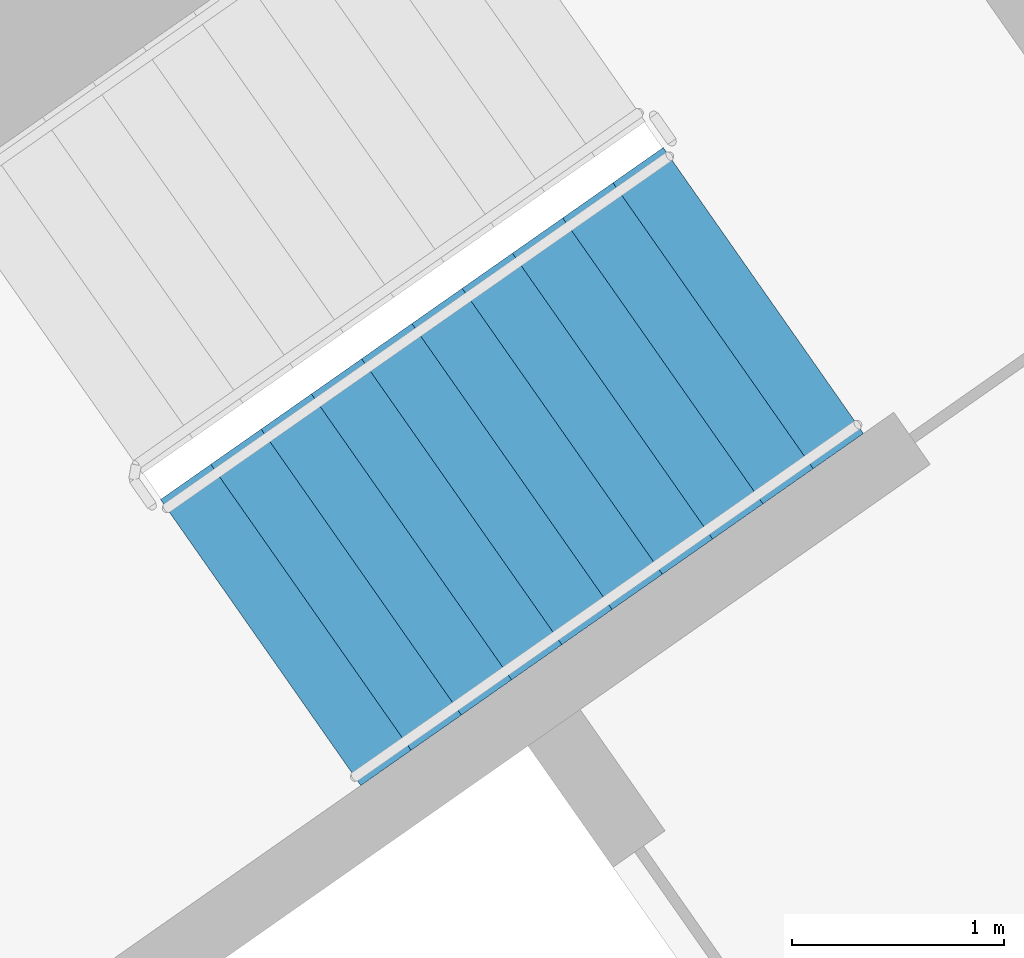
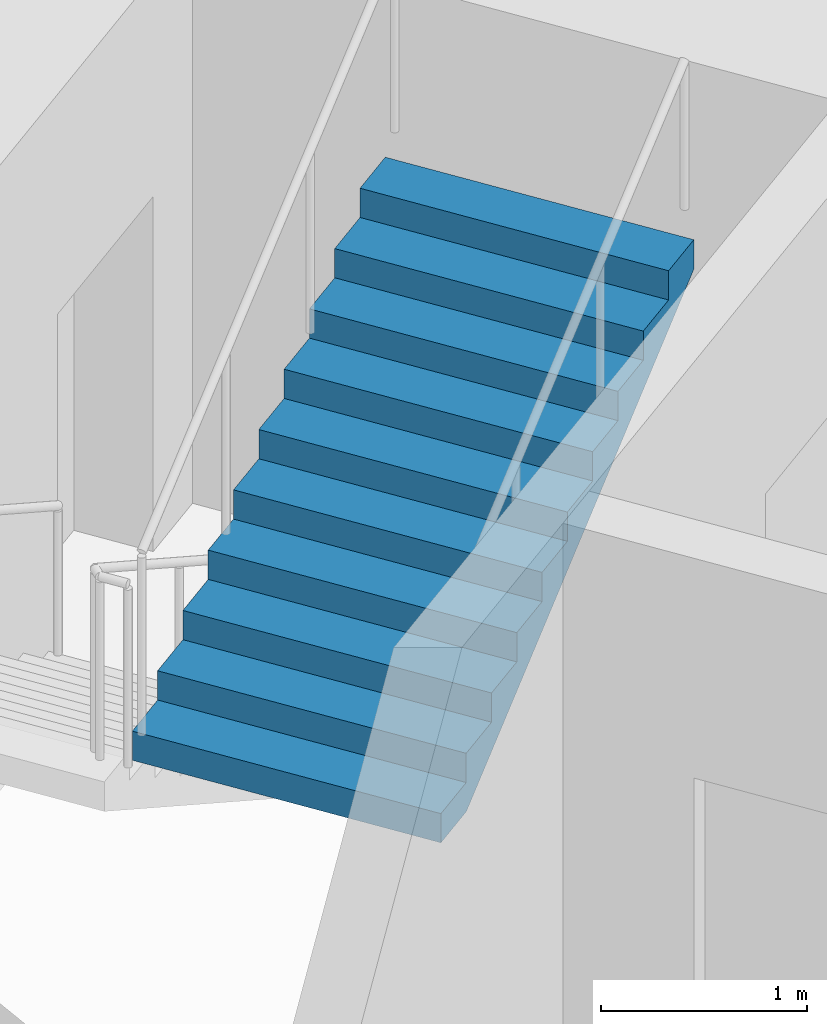
# One storey, part 15 of 31: 1 stair flight, 1 element without a shape of its own.
"""IFC4 building model written with IfcOpenShell, lengths in metres."""

from ifc_helpers import new_model, si_unit, direction, frame, origin, place, context, subcontext, project, spatial, faceted_brep, material, type_object, element, aggregate, save


model = new_model("IFC4")

# Units and contexts
model_context = context("Model", 3, precision=1e-05, world=origin(), true_north=direction((0.0, 1.0)))
body_context = subcontext(model_context, "Body", "Model", "MODEL_VIEW")
ifc_project = project(units=[si_unit("LENGTHUNIT", "METRE"), si_unit("AREAUNIT", "SQUARE_METRE"), si_unit("VOLUMEUNIT", "CUBIC_METRE"), si_unit("PLANEANGLEUNIT", "RADIAN"), si_unit("MASSUNIT", "GRAM", prefix="KILO")], contexts=[model_context])

# Site, building, storey
site_placement = place(None, origin())
site = spatial("IfcSite", under=ifc_project, at=site_placement, CompositionType="ELEMENT")
building_placement = place(site_placement, origin())
building = spatial("IfcBuilding", under=site, at=building_placement, Name="Qamariyya Broadcast Tower", CompositionType="ELEMENT")
storey_placement = place(building_placement, frame((0.0, 0.0, 86.10009765625)))
storey = spatial("IfcBuildingStorey", under=building, at=storey_placement, Name="L18", CompositionType="ELEMENT", Elevation=86.10009765625)

# Stair, stair flight
ifc_material = material(Name="Concrete C50/60", Category="concrete")
stair_type = type_object("IfcStairType", Name="Exit stair 22 risers of 173 mm", PredefinedType="HALF_TURN_STAIR", material=ifc_material)
stair_placement = place(storey_placement, origin())
stair = element("IfcStair", 1, at=stair_placement, inside=storey, type_object=stair_type, Name="L18 Stair E2", PredefinedType="HALF_TURN_STAIR")
stair_flight_type = type_object("IfcStairFlightType", Name="Exit stair flight 11 risers of 173 mm", PredefinedType="STRAIGHT", material=ifc_material)
stair_flight_placement = place(storey_placement, frame((39.215576171875, -50.822998046875, 1.89990234375), z_axis=(0.0, 0.0, 1.0), x_axis=(0.819152044289, 0.573576436351, 0.0)))
stair_flight = element("IfcStairFlight", 2, at=stair_flight_placement, type_object=stair_flight_type, Name="ST-E2 flight 2", NumberOfRisers=11, NumberOfTreads=10, PredefinedType="STRAIGHT", RiserHeight=0.172727273, TreadLength=0.29, context=body_context, shape_type="Brep", body=[
    faceted_brep([(0.0, 0.824951171875, 0.0), (0.0, 0.824951171875, 0.172607421875), (0.2900390625, 0.824951171875, 0.172607421875), (0.2900390625, 0.824951171875, 0.345458984375), (0.580078125, 0.824951171875, 0.345458984375), (0.580078125, 0.824951171875, 0.51806640625), (0.8701171875, 0.824951171875, 0.51806640625), (0.8701171875, 0.824951171875, 0.69091796875), (1.159912109375, 0.824951171875, 0.69091796875), (1.159912109375, 0.824951171875, 0.863525390625), (1.449951171875, 0.824951171875, 0.863525390625), (1.449951171875, 0.824951171875, 1.036376953125), (1.739990234375, 0.824951171875, 1.036376953125), (1.739990234375, 0.824951171875, 1.208984375), (2.030029296875, 0.824951171875, 1.208984375), (2.030029296875, 0.824951171875, 1.3818359375), (2.320068359375, 0.824951171875, 1.3818359375), (2.320068359375, 0.824951171875, 1.554443359375), (2.610107421875, 0.824951171875, 1.554443359375), (2.610107421875, 0.824951171875, 1.727294921875), (2.89990234375, 0.824951171875, 1.727294921875), (2.89990234375, 0.824951171875, 1.552734375), (0.29296875, 0.824951171875, 0.0), (0.29296875, -0.824951171875, 0.0), (2.89990234375, -0.824951171875, 1.552734375), (2.89990234375, -0.824951171875, 1.727294921875), (2.610107421875, -0.824951171875, 1.727294921875), (2.610107421875, -0.824951171875, 1.554443359375), (2.320068359375, -0.824951171875, 1.554443359375), (2.320068359375, -0.824951171875, 1.3818359375), (2.030029296875, -0.824951171875, 1.3818359375), (2.030029296875, -0.824951171875, 1.208984375), (1.739990234375, -0.824951171875, 1.208984375), (1.739990234375, -0.824951171875, 1.036376953125), (1.449951171875, -0.824951171875, 1.036376953125), (1.449951171875, -0.824951171875, 0.863525390625), (1.159912109375, -0.824951171875, 0.863525390625), (1.159912109375, -0.824951171875, 0.69091796875), (0.8701171875, -0.824951171875, 0.69091796875), (0.8701171875, -0.824951171875, 0.51806640625), (0.580078125, -0.824951171875, 0.51806640625), (0.580078125, -0.824951171875, 0.345458984375), (0.2900390625, -0.824951171875, 0.345458984375), (0.2900390625, -0.824951171875, 0.172607421875), (0.0, -0.824951171875, 0.172607421875), (0.0, -0.824951171875, 0.0), (0.0, 0.10009765625, 0.0), (0.0, 0.086669921875, 0.0), (0.0, 0.0732421875, 0.0), (0.0, 0.06005859375, 0.0), (0.0, 0.046630859375, 0.0), (0.0, 0.033447265625, 0.0), (0.0, 0.02001953125, 0.0), (0.0, 0.006591796875, 0.0), (0.0, -0.006591796875, 0.0), (0.0, -0.02001953125, 0.0), (0.0, -0.033447265625, 0.0), (0.0, -0.046630859375, 0.0), (0.0, -0.06005859375, 0.0), (0.0, -0.0732421875, 0.0), (0.0, -0.086669921875, 0.0), (0.0, -0.10009765625, 0.0), (0.0, -0.10009765625, 0.172607421875), (0.0, -0.086669921875, 0.172607421875), (0.0, -0.0732421875, 0.172607421875), (0.0, -0.06005859375, 0.172607421875), (0.0, -0.046630859375, 0.172607421875), (0.0, -0.033447265625, 0.172607421875), (0.0, -0.02001953125, 0.172607421875), (0.0, -0.006591796875, 0.172607421875), (0.0, 0.006591796875, 0.172607421875), (0.0, 0.02001953125, 0.172607421875), (0.0, 0.033447265625, 0.172607421875), (0.0, 0.046630859375, 0.172607421875), (0.0, 0.06005859375, 0.172607421875), (0.0, 0.0732421875, 0.172607421875), (0.0, 0.086669921875, 0.172607421875), (0.0, 0.10009765625, 0.172607421875), (0.2900390625, -0.10009765625, 0.172607421875), (0.2900390625, -0.086669921875, 0.172607421875), (0.2900390625, -0.0732421875, 0.172607421875), (0.2900390625, -0.06005859375, 0.172607421875), (0.2900390625, -0.046630859375, 0.172607421875), (0.2900390625, -0.033447265625, 0.172607421875), (0.2900390625, -0.02001953125, 0.172607421875), (0.2900390625, -0.006591796875, 0.172607421875), (0.2900390625, 0.006591796875, 0.172607421875), (0.2900390625, 0.02001953125, 0.172607421875), (0.2900390625, 0.033447265625, 0.172607421875), (0.2900390625, 0.046630859375, 0.172607421875), (0.2900390625, 0.06005859375, 0.172607421875), (0.2900390625, 0.0732421875, 0.172607421875), (0.2900390625, 0.086669921875, 0.172607421875), (0.2900390625, 0.10009765625, 0.172607421875), (0.2900390625, -0.10009765625, 0.345458984375), (0.2900390625, -0.086669921875, 0.345458984375), (0.2900390625, -0.0732421875, 0.345458984375), (0.2900390625, -0.06005859375, 0.345458984375), (0.2900390625, -0.046630859375, 0.345458984375), (0.2900390625, -0.033447265625, 0.345458984375), (0.2900390625, -0.02001953125, 0.345458984375), (0.2900390625, -0.006591796875, 0.345458984375), (0.2900390625, 0.006591796875, 0.345458984375), (0.2900390625, 0.02001953125, 0.345458984375), (0.2900390625, 0.033447265625, 0.345458984375), (0.2900390625, 0.046630859375, 0.345458984375), (0.2900390625, 0.06005859375, 0.345458984375), (0.2900390625, 0.0732421875, 0.345458984375), (0.2900390625, 0.086669921875, 0.345458984375), (0.2900390625, 0.10009765625, 0.345458984375), (0.580078125, -0.10009765625, 0.345458984375), (0.580078125, -0.086669921875, 0.345458984375), (0.580078125, -0.0732421875, 0.345458984375), (0.580078125, -0.06005859375, 0.345458984375), (0.580078125, -0.046630859375, 0.345458984375), (0.580078125, -0.033447265625, 0.345458984375), (0.580078125, -0.02001953125, 0.345458984375), (0.580078125, -0.006591796875, 0.345458984375), (0.580078125, 0.006591796875, 0.345458984375), (0.580078125, 0.02001953125, 0.345458984375), (0.580078125, 0.033447265625, 0.345458984375), (0.580078125, 0.046630859375, 0.345458984375), (0.580078125, 0.06005859375, 0.345458984375), (0.580078125, 0.0732421875, 0.345458984375), (0.580078125, 0.086669921875, 0.345458984375), (0.580078125, 0.10009765625, 0.345458984375), (0.580078125, -0.10009765625, 0.51806640625), (0.580078125, -0.086669921875, 0.51806640625), (0.580078125, -0.0732421875, 0.51806640625), (0.580078125, -0.06005859375, 0.51806640625), (0.580078125, -0.046630859375, 0.51806640625), (0.580078125, -0.033447265625, 0.51806640625), (0.580078125, -0.02001953125, 0.51806640625), (0.580078125, -0.006591796875, 0.51806640625), (0.580078125, 0.006591796875, 0.51806640625), (0.580078125, 0.02001953125, 0.51806640625), (0.580078125, 0.033447265625, 0.51806640625), (0.580078125, 0.046630859375, 0.51806640625), (0.580078125, 0.06005859375, 0.51806640625), (0.580078125, 0.0732421875, 0.51806640625), (0.580078125, 0.086669921875, 0.51806640625), (0.580078125, 0.10009765625, 0.51806640625), (0.8701171875, -0.10009765625, 0.51806640625), (0.8701171875, -0.086669921875, 0.51806640625), (0.8701171875, -0.0732421875, 0.51806640625), (0.8701171875, -0.06005859375, 0.51806640625), (0.8701171875, -0.046630859375, 0.51806640625), (0.8701171875, -0.033447265625, 0.51806640625), (0.8701171875, -0.02001953125, 0.51806640625), (0.8701171875, -0.006591796875, 0.51806640625), (0.8701171875, 0.006591796875, 0.51806640625), (0.8701171875, 0.02001953125, 0.51806640625), (0.8701171875, 0.033447265625, 0.51806640625), (0.8701171875, 0.046630859375, 0.51806640625), (0.8701171875, 0.06005859375, 0.51806640625), (0.8701171875, 0.0732421875, 0.51806640625), (0.8701171875, 0.086669921875, 0.51806640625), (0.8701171875, 0.10009765625, 0.51806640625), (0.8701171875, -0.10009765625, 0.69091796875), (0.8701171875, -0.086669921875, 0.69091796875), (0.8701171875, -0.0732421875, 0.69091796875), (0.8701171875, -0.06005859375, 0.69091796875), (0.8701171875, -0.046630859375, 0.69091796875), (0.8701171875, -0.033447265625, 0.69091796875), (0.8701171875, -0.02001953125, 0.69091796875), (0.8701171875, -0.006591796875, 0.69091796875), (0.8701171875, 0.006591796875, 0.69091796875), (0.8701171875, 0.02001953125, 0.69091796875), (0.8701171875, 0.033447265625, 0.69091796875), (0.8701171875, 0.046630859375, 0.69091796875), (0.8701171875, 0.06005859375, 0.69091796875), (0.8701171875, 0.0732421875, 0.69091796875), (0.8701171875, 0.086669921875, 0.69091796875), (0.8701171875, 0.10009765625, 0.69091796875), (1.159912109375, -0.10009765625, 0.69091796875), (1.159912109375, -0.086669921875, 0.69091796875), (1.159912109375, -0.0732421875, 0.69091796875), (1.159912109375, -0.06005859375, 0.69091796875), (1.159912109375, -0.046630859375, 0.69091796875), (1.159912109375, -0.033447265625, 0.69091796875), (1.159912109375, -0.02001953125, 0.69091796875), (1.159912109375, -0.006591796875, 0.69091796875), (1.159912109375, 0.006591796875, 0.69091796875), (1.159912109375, 0.02001953125, 0.69091796875), (1.159912109375, 0.033447265625, 0.69091796875), (1.159912109375, 0.046630859375, 0.69091796875), (1.159912109375, 0.06005859375, 0.69091796875), (1.159912109375, 0.0732421875, 0.69091796875), (1.159912109375, 0.086669921875, 0.69091796875), (1.159912109375, 0.10009765625, 0.69091796875), (1.159912109375, -0.10009765625, 0.863525390625), (1.159912109375, -0.086669921875, 0.863525390625), (1.159912109375, -0.0732421875, 0.863525390625), (1.159912109375, -0.06005859375, 0.863525390625), (1.159912109375, -0.046630859375, 0.863525390625), (1.159912109375, -0.033447265625, 0.863525390625), (1.159912109375, -0.02001953125, 0.863525390625), (1.159912109375, -0.006591796875, 0.863525390625), (1.159912109375, 0.006591796875, 0.863525390625), (1.159912109375, 0.02001953125, 0.863525390625), (1.159912109375, 0.033447265625, 0.863525390625), (1.159912109375, 0.046630859375, 0.863525390625), (1.159912109375, 0.06005859375, 0.863525390625), (1.159912109375, 0.0732421875, 0.863525390625), (1.159912109375, 0.086669921875, 0.863525390625), (1.159912109375, 0.10009765625, 0.863525390625), (1.449951171875, -0.10009765625, 0.863525390625), (1.449951171875, -0.086669921875, 0.863525390625), (1.449951171875, -0.0732421875, 0.863525390625), (1.449951171875, -0.06005859375, 0.863525390625), (1.449951171875, -0.046630859375, 0.863525390625), (1.449951171875, -0.033447265625, 0.863525390625), (1.449951171875, -0.02001953125, 0.863525390625), (1.449951171875, -0.006591796875, 0.863525390625), (1.449951171875, 0.006591796875, 0.863525390625), (1.449951171875, 0.02001953125, 0.863525390625), (1.449951171875, 0.033447265625, 0.863525390625), (1.449951171875, 0.046630859375, 0.863525390625), (1.449951171875, 0.06005859375, 0.863525390625), (1.449951171875, 0.0732421875, 0.863525390625), (1.449951171875, 0.086669921875, 0.863525390625), (1.449951171875, 0.10009765625, 0.863525390625), (1.449951171875, -0.10009765625, 1.036376953125), (1.449951171875, -0.086669921875, 1.036376953125), (1.449951171875, -0.0732421875, 1.036376953125), (1.449951171875, -0.06005859375, 1.036376953125), (1.449951171875, -0.046630859375, 1.036376953125), (1.449951171875, -0.033447265625, 1.036376953125), (1.449951171875, -0.02001953125, 1.036376953125), (1.449951171875, -0.006591796875, 1.036376953125), (1.449951171875, 0.006591796875, 1.036376953125), (1.449951171875, 0.02001953125, 1.036376953125), (1.449951171875, 0.033447265625, 1.036376953125), (1.449951171875, 0.046630859375, 1.036376953125), (1.449951171875, 0.06005859375, 1.036376953125), (1.449951171875, 0.0732421875, 1.036376953125), (1.449951171875, 0.086669921875, 1.036376953125), (1.449951171875, 0.10009765625, 1.036376953125), (1.739990234375, -0.10009765625, 1.036376953125), (1.739990234375, -0.086669921875, 1.036376953125), (1.739990234375, -0.0732421875, 1.036376953125), (1.739990234375, -0.06005859375, 1.036376953125), (1.739990234375, -0.046630859375, 1.036376953125), (1.739990234375, -0.033447265625, 1.036376953125), (1.739990234375, -0.02001953125, 1.036376953125), (1.739990234375, -0.006591796875, 1.036376953125), (1.739990234375, 0.006591796875, 1.036376953125), (1.739990234375, 0.02001953125, 1.036376953125), (1.739990234375, 0.033447265625, 1.036376953125), (1.739990234375, 0.046630859375, 1.036376953125), (1.739990234375, 0.06005859375, 1.036376953125), (1.739990234375, 0.0732421875, 1.036376953125), (1.739990234375, 0.086669921875, 1.036376953125), (1.739990234375, 0.10009765625, 1.036376953125), (1.739990234375, -0.10009765625, 1.208984375), (1.739990234375, -0.086669921875, 1.208984375), (1.739990234375, -0.0732421875, 1.208984375), (1.739990234375, -0.06005859375, 1.208984375), (1.739990234375, -0.046630859375, 1.208984375), (1.739990234375, -0.033447265625, 1.208984375), (1.739990234375, -0.02001953125, 1.208984375), (1.739990234375, -0.006591796875, 1.208984375), (1.739990234375, 0.006591796875, 1.208984375), (1.739990234375, 0.02001953125, 1.208984375), (1.739990234375, 0.033447265625, 1.208984375), (1.739990234375, 0.046630859375, 1.208984375), (1.739990234375, 0.06005859375, 1.208984375), (1.739990234375, 0.0732421875, 1.208984375), (1.739990234375, 0.086669921875, 1.208984375), (1.739990234375, 0.10009765625, 1.208984375), (2.030029296875, -0.10009765625, 1.208984375), (2.030029296875, -0.086669921875, 1.208984375), (2.030029296875, -0.0732421875, 1.208984375), (2.030029296875, -0.06005859375, 1.208984375), (2.030029296875, -0.046630859375, 1.208984375), (2.030029296875, -0.033447265625, 1.208984375), (2.030029296875, -0.02001953125, 1.208984375), (2.030029296875, -0.006591796875, 1.208984375), (2.030029296875, 0.006591796875, 1.208984375), (2.030029296875, 0.02001953125, 1.208984375), (2.030029296875, 0.033447265625, 1.208984375), (2.030029296875, 0.046630859375, 1.208984375), (2.030029296875, 0.06005859375, 1.208984375), (2.030029296875, 0.0732421875, 1.208984375), (2.030029296875, 0.086669921875, 1.208984375), (2.030029296875, 0.10009765625, 1.208984375), (2.030029296875, -0.10009765625, 1.3818359375), (2.030029296875, -0.086669921875, 1.3818359375), (2.030029296875, -0.0732421875, 1.3818359375), (2.030029296875, -0.06005859375, 1.3818359375), (2.030029296875, -0.046630859375, 1.3818359375), (2.030029296875, -0.033447265625, 1.3818359375), (2.030029296875, -0.02001953125, 1.3818359375), (2.030029296875, -0.006591796875, 1.3818359375), (2.030029296875, 0.006591796875, 1.3818359375), (2.030029296875, 0.02001953125, 1.3818359375), (2.030029296875, 0.033447265625, 1.3818359375), (2.030029296875, 0.046630859375, 1.3818359375), (2.030029296875, 0.06005859375, 1.3818359375), (2.030029296875, 0.0732421875, 1.3818359375), (2.030029296875, 0.086669921875, 1.3818359375), (2.030029296875, 0.10009765625, 1.3818359375), (2.320068359375, -0.10009765625, 1.3818359375), (2.320068359375, -0.086669921875, 1.3818359375), (2.320068359375, -0.0732421875, 1.3818359375), (2.320068359375, -0.06005859375, 1.3818359375), (2.320068359375, -0.046630859375, 1.3818359375), (2.320068359375, -0.033447265625, 1.3818359375), (2.320068359375, -0.02001953125, 1.3818359375), (2.320068359375, -0.006591796875, 1.3818359375), (2.320068359375, 0.006591796875, 1.3818359375), (2.320068359375, 0.02001953125, 1.3818359375), (2.320068359375, 0.033447265625, 1.3818359375), (2.320068359375, 0.046630859375, 1.3818359375), (2.320068359375, 0.06005859375, 1.3818359375), (2.320068359375, 0.0732421875, 1.3818359375), (2.320068359375, 0.086669921875, 1.3818359375), (2.320068359375, 0.10009765625, 1.3818359375), (2.320068359375, -0.10009765625, 1.554443359375), (2.320068359375, -0.086669921875, 1.554443359375), (2.320068359375, -0.0732421875, 1.554443359375), (2.320068359375, -0.06005859375, 1.554443359375), (2.320068359375, -0.046630859375, 1.554443359375), (2.320068359375, -0.033447265625, 1.554443359375), (2.320068359375, -0.02001953125, 1.554443359375), (2.320068359375, -0.006591796875, 1.554443359375), (2.320068359375, 0.006591796875, 1.554443359375), (2.320068359375, 0.02001953125, 1.554443359375), (2.320068359375, 0.033447265625, 1.554443359375), (2.320068359375, 0.046630859375, 1.554443359375), (2.320068359375, 0.06005859375, 1.554443359375), (2.320068359375, 0.0732421875, 1.554443359375), (2.320068359375, 0.086669921875, 1.554443359375), (2.320068359375, 0.10009765625, 1.554443359375), (2.610107421875, -0.10009765625, 1.554443359375), (2.610107421875, -0.086669921875, 1.554443359375), (2.610107421875, -0.0732421875, 1.554443359375), (2.610107421875, -0.06005859375, 1.554443359375), (2.610107421875, -0.046630859375, 1.554443359375), (2.610107421875, -0.033447265625, 1.554443359375), (2.610107421875, -0.02001953125, 1.554443359375), (2.610107421875, -0.006591796875, 1.554443359375), (2.610107421875, 0.006591796875, 1.554443359375), (2.610107421875, 0.02001953125, 1.554443359375), (2.610107421875, 0.033447265625, 1.554443359375), (2.610107421875, 0.046630859375, 1.554443359375), (2.610107421875, 0.06005859375, 1.554443359375), (2.610107421875, 0.0732421875, 1.554443359375), (2.610107421875, 0.086669921875, 1.554443359375), (2.610107421875, 0.10009765625, 1.554443359375), (2.610107421875, -0.10009765625, 1.727294921875), (2.610107421875, -0.086669921875, 1.727294921875), (2.610107421875, -0.0732421875, 1.727294921875), (2.610107421875, -0.06005859375, 1.727294921875), (2.610107421875, -0.046630859375, 1.727294921875), (2.610107421875, -0.033447265625, 1.727294921875), (2.610107421875, -0.02001953125, 1.727294921875), (2.610107421875, -0.006591796875, 1.727294921875), (2.610107421875, 0.006591796875, 1.727294921875), (2.610107421875, 0.02001953125, 1.727294921875), (2.610107421875, 0.033447265625, 1.727294921875), (2.610107421875, 0.046630859375, 1.727294921875), (2.610107421875, 0.06005859375, 1.727294921875), (2.610107421875, 0.0732421875, 1.727294921875), (2.610107421875, 0.086669921875, 1.727294921875), (2.610107421875, 0.10009765625, 1.727294921875), (2.89990234375, -0.10009765625, 1.727294921875), (2.89990234375, -0.086669921875, 1.727294921875), (2.89990234375, -0.0732421875, 1.727294921875), (2.89990234375, -0.06005859375, 1.727294921875), (2.89990234375, -0.046630859375, 1.727294921875), (2.89990234375, -0.033447265625, 1.727294921875), (2.89990234375, -0.02001953125, 1.727294921875), (2.89990234375, -0.006591796875, 1.727294921875), (2.89990234375, 0.006591796875, 1.727294921875), (2.89990234375, 0.02001953125, 1.727294921875), (2.89990234375, 0.033447265625, 1.727294921875), (2.89990234375, 0.046630859375, 1.727294921875), (2.89990234375, 0.06005859375, 1.727294921875), (2.89990234375, 0.0732421875, 1.727294921875), (2.89990234375, 0.086669921875, 1.727294921875), (2.89990234375, 0.10009765625, 1.727294921875), (2.89990234375, -0.10009765625, 1.552734375), (2.89990234375, -0.086669921875, 1.552734375), (2.89990234375, -0.0732421875, 1.552734375), (2.89990234375, -0.06005859375, 1.552734375), (2.89990234375, -0.046630859375, 1.552734375), (2.89990234375, -0.033447265625, 1.552734375), (2.89990234375, -0.02001953125, 1.552734375), (2.89990234375, -0.006591796875, 1.552734375), (2.89990234375, 0.006591796875, 1.552734375), (2.89990234375, 0.02001953125, 1.552734375), (2.89990234375, 0.033447265625, 1.552734375), (2.89990234375, 0.046630859375, 1.552734375), (2.89990234375, 0.06005859375, 1.552734375), (2.89990234375, 0.0732421875, 1.552734375), (2.89990234375, 0.086669921875, 1.552734375), (2.89990234375, 0.10009765625, 1.552734375), (0.29296875, -0.10009765625, 0.0), (0.29296875, -0.086669921875, 0.0), (0.29296875, -0.0732421875, 0.0), (0.29296875, -0.06005859375, 0.0), (0.29296875, -0.046630859375, 0.0), (0.29296875, -0.033447265625, 0.0), (0.29296875, -0.02001953125, 0.0), (0.29296875, -0.006591796875, 0.0), (0.29296875, 0.006591796875, 0.0), (0.29296875, 0.02001953125, 0.0), (0.29296875, 0.033447265625, 0.0), (0.29296875, 0.046630859375, 0.0), (0.29296875, 0.06005859375, 0.0), (0.29296875, 0.0732421875, 0.0), (0.29296875, 0.086669921875, 0.0), (0.29296875, 0.10009765625, 0.0)], [[[0, 1, 2, 3, 4, 5, 6, 7, 8, 9, 10, 11, 12, 13, 14, 15, 16, 17, 18, 19, 20, 21, 22]], [[23, 24, 25, 26, 27, 28, 29, 30, 31, 32, 33, 34, 35, 36, 37, 38, 39, 40, 41, 42, 43, 44, 45]], [[0, 46, 47, 48, 49, 50, 51, 52, 53, 54, 55, 56, 57, 58, 59, 60, 61, 45, 44, 62, 63, 64, 65, 66, 67, 68, 69, 70, 71, 72, 73, 74, 75, 76, 77, 1]], [[1, 77, 76, 75, 74, 73, 72, 71, 70, 69, 68, 67, 66, 65, 64, 63, 62, 44, 43, 78, 79, 80, 81, 82, 83, 84, 85, 86, 87, 88, 89, 90, 91, 92, 93, 2]], [[2, 93, 92, 91, 90, 89, 88, 87, 86, 85, 84, 83, 82, 81, 80, 79, 78, 43, 42, 94, 95, 96, 97, 98, 99, 100, 101, 102, 103, 104, 105, 106, 107, 108, 109, 3]], [[3, 109, 108, 107, 106, 105, 104, 103, 102, 101, 100, 99, 98, 97, 96, 95, 94, 42, 41, 110, 111, 112, 113, 114, 115, 116, 117, 118, 119, 120, 121, 122, 123, 124, 125, 4]], [[4, 125, 124, 123, 122, 121, 120, 119, 118, 117, 116, 115, 114, 113, 112, 111, 110, 41, 40, 126, 127, 128, 129, 130, 131, 132, 133, 134, 135, 136, 137, 138, 139, 140, 141, 5]], [[5, 141, 140, 139, 138, 137, 136, 135, 134, 133, 132, 131, 130, 129, 128, 127, 126, 40, 39, 142, 143, 144, 145, 146, 147, 148, 149, 150, 151, 152, 153, 154, 155, 156, 157, 6]], [[6, 157, 156, 155, 154, 153, 152, 151, 150, 149, 148, 147, 146, 145, 144, 143, 142, 39, 38, 158, 159, 160, 161, 162, 163, 164, 165, 166, 167, 168, 169, 170, 171, 172, 173, 7]], [[7, 173, 172, 171, 170, 169, 168, 167, 166, 165, 164, 163, 162, 161, 160, 159, 158, 38, 37, 174, 175, 176, 177, 178, 179, 180, 181, 182, 183, 184, 185, 186, 187, 188, 189, 8]], [[8, 189, 188, 187, 186, 185, 184, 183, 182, 181, 180, 179, 178, 177, 176, 175, 174, 37, 36, 190, 191, 192, 193, 194, 195, 196, 197, 198, 199, 200, 201, 202, 203, 204, 205, 9]], [[9, 205, 204, 203, 202, 201, 200, 199, 198, 197, 196, 195, 194, 193, 192, 191, 190, 36, 35, 206, 207, 208, 209, 210, 211, 212, 213, 214, 215, 216, 217, 218, 219, 220, 221, 10]], [[10, 221, 220, 219, 218, 217, 216, 215, 214, 213, 212, 211, 210, 209, 208, 207, 206, 35, 34, 222, 223, 224, 225, 226, 227, 228, 229, 230, 231, 232, 233, 234, 235, 236, 237, 11]], [[11, 237, 236, 235, 234, 233, 232, 231, 230, 229, 228, 227, 226, 225, 224, 223, 222, 34, 33, 238, 239, 240, 241, 242, 243, 244, 245, 246, 247, 248, 249, 250, 251, 252, 253, 12]], [[12, 253, 252, 251, 250, 249, 248, 247, 246, 245, 244, 243, 242, 241, 240, 239, 238, 33, 32, 254, 255, 256, 257, 258, 259, 260, 261, 262, 263, 264, 265, 266, 267, 268, 269, 13]], [[13, 269, 268, 267, 266, 265, 264, 263, 262, 261, 260, 259, 258, 257, 256, 255, 254, 32, 31, 270, 271, 272, 273, 274, 275, 276, 277, 278, 279, 280, 281, 282, 283, 284, 285, 14]], [[14, 285, 284, 283, 282, 281, 280, 279, 278, 277, 276, 275, 274, 273, 272, 271, 270, 31, 30, 286, 287, 288, 289, 290, 291, 292, 293, 294, 295, 296, 297, 298, 299, 300, 301, 15]], [[15, 301, 300, 299, 298, 297, 296, 295, 294, 293, 292, 291, 290, 289, 288, 287, 286, 30, 29, 302, 303, 304, 305, 306, 307, 308, 309, 310, 311, 312, 313, 314, 315, 316, 317, 16]], [[16, 317, 316, 315, 314, 313, 312, 311, 310, 309, 308, 307, 306, 305, 304, 303, 302, 29, 28, 318, 319, 320, 321, 322, 323, 324, 325, 326, 327, 328, 329, 330, 331, 332, 333, 17]], [[17, 333, 332, 331, 330, 329, 328, 327, 326, 325, 324, 323, 322, 321, 320, 319, 318, 28, 27, 334, 335, 336, 337, 338, 339, 340, 341, 342, 343, 344, 345, 346, 347, 348, 349, 18]], [[18, 349, 348, 347, 346, 345, 344, 343, 342, 341, 340, 339, 338, 337, 336, 335, 334, 27, 26, 350, 351, 352, 353, 354, 355, 356, 357, 358, 359, 360, 361, 362, 363, 364, 365, 19]], [[19, 365, 364, 363, 362, 361, 360, 359, 358, 357, 356, 355, 354, 353, 352, 351, 350, 26, 25, 366, 367, 368, 369, 370, 371, 372, 373, 374, 375, 376, 377, 378, 379, 380, 381, 20]], [[20, 381, 380, 379, 378, 377, 376, 375, 374, 373, 372, 371, 370, 369, 368, 367, 366, 25, 24, 382, 383, 384, 385, 386, 387, 388, 389, 390, 391, 392, 393, 394, 395, 396, 397, 21]], [[21, 397, 396, 395, 394, 393, 392, 391, 390, 389, 388, 387, 386, 385, 384, 383, 382, 24, 23, 398, 399, 400, 401, 402, 403, 404, 405, 406, 407, 408, 409, 410, 411, 412, 413, 22]], [[22, 413, 412, 411, 410, 409, 408, 407, 406, 405, 404, 403, 402, 401, 400, 399, 398, 23, 45, 61, 60, 59, 58, 57, 56, 55, 54, 53, 52, 51, 50, 49, 48, 47, 46, 0]]]),
])
aggregate(stair, [stair_flight])

save(model, "model.ifc")
